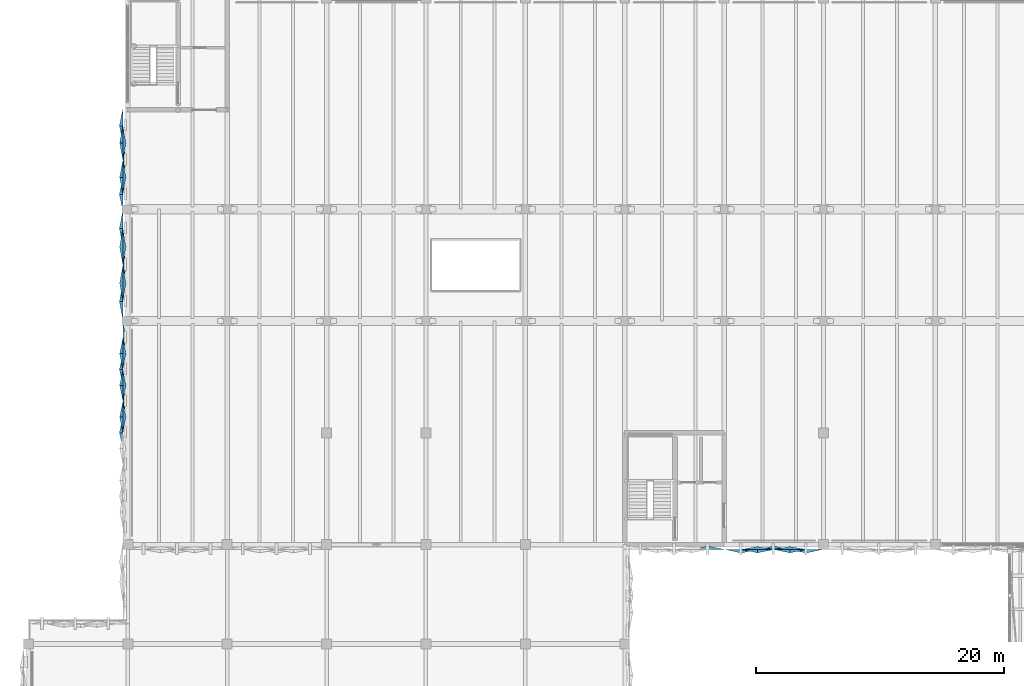
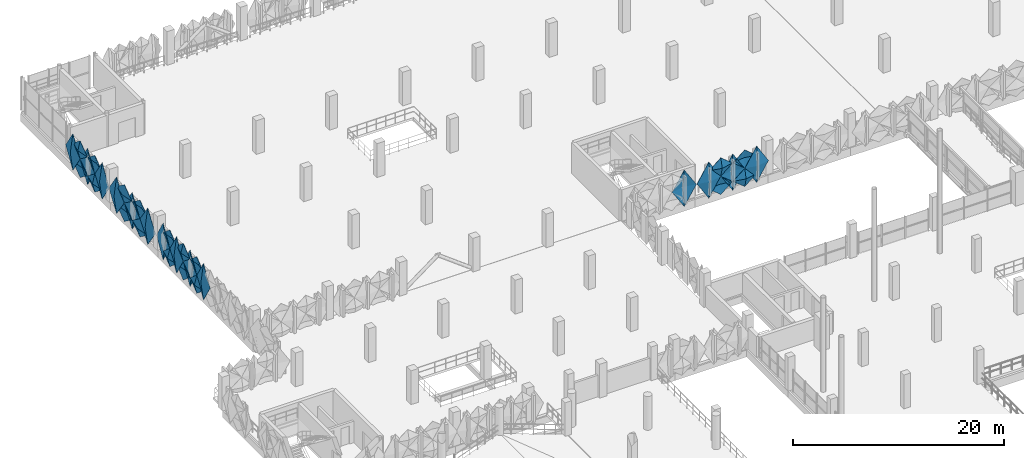
# One storey, part 91 of 123: 32 plates.
"""IFC4 building model written with IfcOpenShell, lengths in metres."""

from ifc_helpers import new_model, si_unit, derived_unit, direction, frame, origin, place, context, subcontext, project, spatial, polygons, material, layer, layer_set, type_object, element, save


model = new_model("IFC4")

# Units and contexts
model_context = context("Model", 3, precision=1e-05, world=origin(), true_north=direction((0.0, 1.0)))
body_context = subcontext(model_context, "Body", "Model", "MODEL_VIEW")
ifc_project = project(units=[si_unit("LENGTHUNIT", "METRE"), si_unit("AREAUNIT", "SQUARE_METRE"), si_unit("VOLUMEUNIT", "CUBIC_METRE"), si_unit("PLANEANGLEUNIT", "RADIAN"), si_unit("MASSUNIT", "GRAM", prefix="KILO"), si_unit("THERMODYNAMICTEMPERATUREUNIT", "KELVIN"), derived_unit("THERMALTRANSMITTANCEUNIT", [(si_unit("POWERUNIT", "WATT"), 1), (si_unit("AREAUNIT", "SQUARE_METRE"), -1), (si_unit("THERMODYNAMICTEMPERATUREUNIT", "KELVIN"), -1)])], contexts=[model_context])

# Site, building, storey
site_placement = place(None, origin())
site = spatial("IfcSite", under=ifc_project, at=site_placement, CompositionType="ELEMENT")
building_placement = place(site_placement, origin())
building = spatial("IfcBuilding", under=site, at=building_placement, Name="Haiyu Intermodal Mobility Hub", CompositionType="ELEMENT")
storey_placement = place(building_placement, frame((0.0, 0.0, 5.60009765625)))
storey = spatial("IfcBuildingStorey", under=building, at=storey_placement, Name="L01", CompositionType="ELEMENT", Elevation=5.60009765625)

# Plates
ifc_material = material(Name="Anodised aluminium 6063-T6", Category="aluminium")
ifc_layer_1 = layer(ifc_material, 0.01806640625)
ifc_layer_set_1 = layer_set([ifc_layer_1], Name="Anodised aluminium 6063-T6")
plate_type_1 = type_object("IfcPlateType", Name="PLT-FC01", PredefinedType="USERDEFINED", material=ifc_layer_set_1)
plate_1_placement = place(storey_placement, origin())
element("IfcPlate", 1, at=plate_1_placement, inside=storey, type_object=plate_type_1, Name="PLT-PYR-0530", ObjectType="FACADE CASSETTE", PredefinedType="USERDEFINED", context=body_context, shape_type="Tessellation", body=[
    polygons([(21.60009765625, 113.0, -0.510009765625), (21.60009765625, 111.74609375, 1.599853515625), (21.60009765625, 113.0, 3.7099609375), (21.60009765625, 114.25390625, 1.599853515625), (21.320068359375, 113.0, 1.599853515625), (21.6220703125, 113.0, -0.510009765625), (21.6220703125, 111.74609375, 1.599853515625), (21.6220703125, 113.0, 3.7099609375), (21.6220703125, 114.25390625, 1.599853515625), (21.342041015625, 113.0, 1.599853515625)], [[[1, 2, 5]], [[2, 3, 5]], [[3, 4, 5]], [[4, 1, 5]], [[7, 6, 10]], [[8, 7, 10]], [[9, 8, 10]], [[6, 9, 10]], [[1, 6, 7, 2]], [[2, 7, 8, 3]], [[3, 8, 9, 4]], [[4, 9, 6, 1]]], closed=True),
])
ifc_layer_2 = layer(ifc_material, 0.01806640625)
ifc_layer_set_2 = layer_set([ifc_layer_2], Name="Anodised aluminium 6063-T6")
plate_type_2 = type_object("IfcPlateType", Name="PLT-FC03", PredefinedType="USERDEFINED", material=ifc_layer_set_2)
plate_2_placement = place(storey_placement, origin())
element("IfcPlate", 2, at=plate_2_placement, inside=storey, type_object=plate_type_2, Name="PLT-PYR-0522", ObjectType="FACADE CASSETTE", PredefinedType="USERDEFINED", context=body_context, shape_type="Tessellation", body=[
    polygons([(21.60009765625, 119.37109375, -0.52001953125), (21.60009765625, 118.116943359375, 0.52978515625), (21.60009765625, 119.37109375, 1.579833984375), (21.60009765625, 120.6259765625, 0.52978515625), (21.340087890625, 119.37109375, 0.52978515625), (21.6220703125, 119.37109375, -0.52001953125), (21.6220703125, 118.116943359375, 0.52978515625), (21.6220703125, 119.37109375, 1.579833984375), (21.6220703125, 120.6259765625, 0.52978515625), (21.362060546875, 119.37109375, 0.52978515625)], [[[1, 2, 5]], [[2, 3, 5]], [[3, 4, 5]], [[4, 1, 5]], [[7, 6, 10]], [[8, 7, 10]], [[9, 8, 10]], [[6, 9, 10]], [[1, 6, 7, 2]], [[2, 7, 8, 3]], [[3, 8, 9, 4]], [[4, 9, 6, 1]]], closed=True),
])
plate_3_placement = place(storey_placement, origin())
element("IfcPlate", 3, at=plate_3_placement, inside=storey, type_object=plate_type_2, Name="PLT-PYR-0528", ObjectType="FACADE CASSETTE", PredefinedType="USERDEFINED", context=body_context, shape_type="Tessellation", body=[
    polygons([(21.60009765625, 114.27392578125, -0.52001953125), (21.60009765625, 113.02001953125, 0.52978515625), (21.60009765625, 114.27392578125, 1.579833984375), (21.60009765625, 115.529052734375, 0.52978515625), (21.340087890625, 114.27392578125, 0.52978515625), (21.6220703125, 114.27392578125, -0.52001953125), (21.6220703125, 113.02001953125, 0.52978515625), (21.6220703125, 114.27392578125, 1.579833984375), (21.6220703125, 115.529052734375, 0.52978515625), (21.362060546875, 114.27392578125, 0.52978515625)], [[[1, 2, 5]], [[2, 3, 5]], [[3, 4, 5]], [[4, 1, 5]], [[7, 6, 10]], [[8, 7, 10]], [[9, 8, 10]], [[6, 9, 10]], [[1, 6, 7, 2]], [[2, 7, 8, 3]], [[3, 8, 9, 4]], [[4, 9, 6, 1]]], closed=True),
])
plate_4_placement = place(storey_placement, origin())
element("IfcPlate", 4, at=plate_4_placement, inside=storey, type_object=plate_type_2, Name="PLT-PYR-0616", ObjectType="FACADE CASSETTE", PredefinedType="USERDEFINED", context=body_context, shape_type="Tessellation", body=[
    polygons([(21.60009765625, 129.447021484375, -0.510009765625), (21.60009765625, 127.992919921875, 1.599853515625), (21.60009765625, 129.447021484375, 3.7099609375), (21.60009765625, 130.89990234375, 1.599853515625), (21.320068359375, 129.447021484375, 1.599853515625), (21.6220703125, 129.447021484375, -0.510009765625), (21.6220703125, 127.992919921875, 1.599853515625), (21.6220703125, 129.447021484375, 3.7099609375), (21.6220703125, 130.89990234375, 1.599853515625), (21.342041015625, 129.447021484375, 1.599853515625)], [[[1, 2, 5]], [[2, 3, 5]], [[3, 4, 5]], [[4, 1, 5]], [[7, 6, 10]], [[8, 7, 10]], [[9, 8, 10]], [[6, 9, 10]], [[1, 6, 7, 2]], [[2, 7, 8, 3]], [[3, 8, 9, 4]], [[4, 9, 6, 1]]], closed=True),
])
plate_5_placement = place(storey_placement, origin())
element("IfcPlate", 5, at=plate_5_placement, inside=storey, type_object=plate_type_2, Name="PLT-PYR-0620", ObjectType="FACADE CASSETTE", PredefinedType="USERDEFINED", context=body_context, shape_type="Tessellation", body=[
    polygons([(21.60009765625, 125.027099609375, -0.52001953125), (21.60009765625, 123.572998046875, 0.52978515625), (21.60009765625, 125.027099609375, 1.579833984375), (21.60009765625, 126.47998046875, 0.52978515625), (21.340087890625, 125.027099609375, 0.52978515625), (21.6220703125, 125.027099609375, -0.52001953125), (21.6220703125, 123.572998046875, 0.52978515625), (21.6220703125, 125.027099609375, 1.579833984375), (21.6220703125, 126.47998046875, 0.52978515625), (21.362060546875, 125.027099609375, 0.52978515625)], [[[1, 2, 5]], [[2, 3, 5]], [[3, 4, 5]], [[4, 1, 5]], [[7, 6, 10]], [[8, 7, 10]], [[9, 8, 10]], [[6, 9, 10]], [[1, 6, 7, 2]], [[2, 7, 8, 3]], [[3, 8, 9, 4]], [[4, 9, 6, 1]]], closed=True),
])
plate_6_placement = place(storey_placement, origin())
element("IfcPlate", 6, at=plate_6_placement, inside=storey, type_object=plate_type_2, Name="PLT-PYR-0747", ObjectType="FACADE CASSETTE", PredefinedType="USERDEFINED", context=body_context, shape_type="Tessellation", body=[
    polygons([(71.386962890625, 103.60009765625, -0.510009765625), (72.673095703125, 103.60009765625, 1.599853515625), (71.386962890625, 103.60009765625, 3.7099609375), (70.10009765625, 103.60009765625, 1.599853515625), (71.386962890625, 103.320068359375, 1.599853515625), (71.386962890625, 103.6220703125, -0.510009765625), (72.673095703125, 103.6220703125, 1.599853515625), (71.386962890625, 103.6220703125, 3.7099609375), (70.10009765625, 103.6220703125, 1.599853515625), (71.386962890625, 103.342041015625, 1.599853515625)], [[[1, 2, 5]], [[2, 3, 5]], [[3, 4, 5]], [[4, 1, 5]], [[7, 6, 10]], [[8, 7, 10]], [[9, 8, 10]], [[6, 9, 10]], [[1, 6, 7, 2]], [[2, 7, 8, 3]], [[3, 8, 9, 4]], [[4, 9, 6, 1]]], closed=True),
])
plate_7_placement = place(storey_placement, origin())
element("IfcPlate", 7, at=plate_7_placement, inside=storey, type_object=plate_type_2, Name="PLT-PYR-0751", ObjectType="FACADE CASSETTE", PredefinedType="USERDEFINED", context=body_context, shape_type="Tessellation", body=[
    polygons([(75.306884765625, 103.60009765625, -0.52001953125), (76.593017578125, 103.60009765625, 0.52978515625), (75.306884765625, 103.60009765625, 1.579833984375), (74.02001953125, 103.60009765625, 0.52978515625), (75.306884765625, 103.340087890625, 0.52978515625), (75.306884765625, 103.6220703125, -0.52001953125), (76.593017578125, 103.6220703125, 0.52978515625), (75.306884765625, 103.6220703125, 1.579833984375), (74.02001953125, 103.6220703125, 0.52978515625), (75.306884765625, 103.362060546875, 0.52978515625)], [[[1, 2, 5]], [[2, 3, 5]], [[3, 4, 5]], [[4, 1, 5]], [[7, 6, 10]], [[8, 7, 10]], [[9, 8, 10]], [[6, 9, 10]], [[1, 6, 7, 2]], [[2, 7, 8, 3]], [[3, 8, 9, 4]], [[4, 9, 6, 1]]], closed=True),
])
plate_8_placement = place(storey_placement, origin())
element("IfcPlate", 8, at=plate_8_placement, inside=storey, type_object=plate_type_2, Name="PLT-PYR-2288", ObjectType="FACADE CASSETTE", PredefinedType="USERDEFINED", context=body_context, shape_type="Tessellation", body=[
    polygons([(21.60009765625, 137.717041015625, -0.510009765625), (21.60009765625, 136.35302734375, 1.599853515625), (21.60009765625, 137.717041015625, 3.7099609375), (21.60009765625, 139.080078125, 1.599853515625), (21.320068359375, 137.717041015625, 1.599853515625), (21.6220703125, 137.717041015625, -0.510009765625), (21.6220703125, 136.35302734375, 1.599853515625), (21.6220703125, 137.717041015625, 3.7099609375), (21.6220703125, 139.080078125, 1.599853515625), (21.342041015625, 137.717041015625, 1.599853515625)], [[[1, 2, 5]], [[2, 3, 5]], [[3, 4, 5]], [[4, 1, 5]], [[7, 6, 10]], [[8, 7, 10]], [[9, 8, 10]], [[6, 9, 10]], [[1, 6, 7, 2]], [[2, 7, 8, 3]], [[3, 8, 9, 4]], [[4, 9, 6, 1]]], closed=True),
])
plate_9_placement = place(storey_placement, origin())
element("IfcPlate", 9, at=plate_9_placement, inside=storey, type_object=plate_type_2, Name="PLT-PYR-2292", ObjectType="FACADE CASSETTE", PredefinedType="USERDEFINED", context=body_context, shape_type="Tessellation", body=[
    polygons([(21.60009765625, 133.56689453125, -0.52001953125), (21.60009765625, 132.202880859375, 0.52978515625), (21.60009765625, 133.56689453125, 1.579833984375), (21.60009765625, 134.929931640625, 0.52978515625), (21.340087890625, 133.56689453125, 0.52978515625), (21.6220703125, 133.56689453125, -0.52001953125), (21.6220703125, 132.202880859375, 0.52978515625), (21.6220703125, 133.56689453125, 1.579833984375), (21.6220703125, 134.929931640625, 0.52978515625), (21.362060546875, 133.56689453125, 0.52978515625)], [[[1, 2, 5]], [[2, 3, 5]], [[3, 4, 5]], [[4, 1, 5]], [[7, 6, 10]], [[8, 7, 10]], [[9, 8, 10]], [[6, 9, 10]], [[1, 6, 7, 2]], [[2, 7, 8, 3]], [[3, 8, 9, 4]], [[4, 9, 6, 1]]], closed=True),
])
ifc_layer_3 = layer(ifc_material, 0.02001953125)
ifc_layer_set_3 = layer_set([ifc_layer_3], Name="Anodised aluminium 6063-T6")
plate_type_3 = type_object("IfcPlateType", Name="PLT-FC04", PredefinedType="USERDEFINED", material=ifc_layer_set_3)
plate_10_placement = place(storey_placement, origin())
element("IfcPlate", 10, at=plate_10_placement, inside=storey, type_object=plate_type_3, Name="PLT-PYR-0521", ObjectType="FACADE CASSETTE", PredefinedType="USERDEFINED", context=body_context, shape_type="Tessellation", body=[
    polygons([(21.60009765625, 120.64599609375, -0.510009765625), (21.60009765625, 119.39111328125, 1.599853515625), (21.60009765625, 120.64599609375, 3.7099609375), (21.60009765625, 121.89990234375, 1.599853515625), (21.860107421875, 120.64599609375, 1.599853515625), (21.6220703125, 120.64599609375, -0.510009765625), (21.6220703125, 119.39111328125, 1.599853515625), (21.6220703125, 120.64599609375, 3.7099609375), (21.6220703125, 121.89990234375, 1.599853515625), (21.882080078125, 120.64599609375, 1.599853515625)], [[[1, 2, 5]], [[2, 3, 5]], [[3, 4, 5]], [[4, 1, 5]], [[7, 6, 10]], [[8, 7, 10]], [[9, 8, 10]], [[6, 9, 10]], [[1, 6, 7, 2]], [[2, 7, 8, 3]], [[3, 8, 9, 4]], [[4, 9, 6, 1]]], closed=True),
])
plate_11_placement = place(storey_placement, origin())
element("IfcPlate", 11, at=plate_11_placement, inside=storey, type_object=plate_type_3, Name="PLT-PYR-0525", ObjectType="FACADE CASSETTE", PredefinedType="USERDEFINED", context=body_context, shape_type="Tessellation", body=[
    polygons([(21.60009765625, 116.822998046875, -0.52001953125), (21.60009765625, 115.569091796875, 0.52978515625), (21.60009765625, 116.822998046875, 1.579833984375), (21.60009765625, 118.076904296875, 0.52978515625), (21.820068359375, 116.822998046875, 0.52978515625), (21.6220703125, 116.822998046875, -0.52001953125), (21.6220703125, 115.569091796875, 0.52978515625), (21.6220703125, 116.822998046875, 1.579833984375), (21.6220703125, 118.076904296875, 0.52978515625), (21.842041015625, 116.822998046875, 0.52978515625)], [[[1, 2, 5]], [[2, 3, 5]], [[3, 4, 5]], [[4, 1, 5]], [[7, 6, 10]], [[8, 7, 10]], [[9, 8, 10]], [[6, 9, 10]], [[1, 6, 7, 2]], [[2, 7, 8, 3]], [[3, 8, 9, 4]], [[4, 9, 6, 1]]], closed=True),
])
plate_12_placement = place(storey_placement, origin())
element("IfcPlate", 12, at=plate_12_placement, inside=storey, type_object=plate_type_3, Name="PLT-PYR-0617", ObjectType="FACADE CASSETTE", PredefinedType="USERDEFINED", context=body_context, shape_type="Tessellation", body=[
    polygons([(21.60009765625, 127.972900390625, -0.52001953125), (21.60009765625, 126.52001953125, 0.52978515625), (21.60009765625, 127.972900390625, 1.579833984375), (21.60009765625, 129.427001953125, 0.52978515625), (21.820068359375, 127.972900390625, 0.52978515625), (21.6220703125, 127.972900390625, -0.52001953125), (21.6220703125, 126.52001953125, 0.52978515625), (21.6220703125, 127.972900390625, 1.579833984375), (21.6220703125, 129.427001953125, 0.52978515625), (21.842041015625, 127.972900390625, 0.52978515625)], [[[1, 2, 5]], [[2, 3, 5]], [[3, 4, 5]], [[4, 1, 5]], [[7, 6, 10]], [[8, 7, 10]], [[9, 8, 10]], [[6, 9, 10]], [[1, 6, 7, 2]], [[2, 7, 8, 3]], [[3, 8, 9, 4]], [[4, 9, 6, 1]]], closed=True),
])
plate_13_placement = place(storey_placement, origin())
element("IfcPlate", 13, at=plate_13_placement, inside=storey, type_object=plate_type_3, Name="PLT-PYR-0748", ObjectType="FACADE CASSETTE", PredefinedType="USERDEFINED", context=body_context, shape_type="Tessellation", body=[
    polygons([(72.693115234375, 103.60009765625, -0.52001953125), (73.97998046875, 103.60009765625, 0.52978515625), (72.693115234375, 103.60009765625, 1.579833984375), (71.406982421875, 103.60009765625, 0.52978515625), (72.693115234375, 103.820068359375, 0.52978515625), (72.693115234375, 103.6220703125, -0.52001953125), (73.97998046875, 103.6220703125, 0.52978515625), (72.693115234375, 103.6220703125, 1.579833984375), (71.406982421875, 103.6220703125, 0.52978515625), (72.693115234375, 103.842041015625, 0.52978515625)], [[[1, 2, 5]], [[2, 3, 5]], [[3, 4, 5]], [[4, 1, 5]], [[7, 6, 10]], [[8, 7, 10]], [[9, 8, 10]], [[6, 9, 10]], [[1, 6, 7, 2]], [[2, 7, 8, 3]], [[3, 8, 9, 4]], [[4, 9, 6, 1]]], closed=True),
])
plate_14_placement = place(storey_placement, origin())
element("IfcPlate", 14, at=plate_14_placement, inside=storey, type_object=plate_type_3, Name="PLT-PYR-2289", ObjectType="FACADE CASSETTE", PredefinedType="USERDEFINED", context=body_context, shape_type="Tessellation", body=[
    polygons([(21.60009765625, 136.3330078125, -0.52001953125), (21.60009765625, 134.969970703125, 0.52978515625), (21.60009765625, 136.3330078125, 1.579833984375), (21.60009765625, 137.697021484375, 0.52978515625), (21.820068359375, 136.3330078125, 0.52978515625), (21.6220703125, 136.3330078125, -0.52001953125), (21.6220703125, 134.969970703125, 0.52978515625), (21.6220703125, 136.3330078125, 1.579833984375), (21.6220703125, 137.697021484375, 0.52978515625), (21.842041015625, 136.3330078125, 0.52978515625)], [[[1, 2, 5]], [[2, 3, 5]], [[3, 4, 5]], [[4, 1, 5]], [[7, 6, 10]], [[8, 7, 10]], [[9, 8, 10]], [[6, 9, 10]], [[1, 6, 7, 2]], [[2, 7, 8, 3]], [[3, 8, 9, 4]], [[4, 9, 6, 1]]], closed=True),
])
ifc_layer_4 = layer(ifc_material, 0.01806640625)
ifc_layer_set_4 = layer_set([ifc_layer_4], Name="Anodised aluminium 6063-T6")
plate_type_4 = type_object("IfcPlateType", Name="PLT-FC05", PredefinedType="USERDEFINED", material=ifc_layer_set_4)
plate_15_placement = place(storey_placement, origin())
element("IfcPlate", 15, at=plate_15_placement, inside=storey, type_object=plate_type_4, Name="PLT-PYR-0524", ObjectType="FACADE CASSETTE", PredefinedType="USERDEFINED", context=body_context, shape_type="Tessellation", body=[
    polygons([(21.60009765625, 118.096923828125, -0.510009765625), (21.60009765625, 116.843017578125, 1.599853515625), (21.60009765625, 118.096923828125, 3.7099609375), (21.60009765625, 119.35107421875, 1.599853515625), (21.320068359375, 118.096923828125, 1.599853515625), (21.6220703125, 118.096923828125, -0.510009765625), (21.6220703125, 116.843017578125, 1.599853515625), (21.6220703125, 118.096923828125, 3.7099609375), (21.6220703125, 119.35107421875, 1.599853515625), (21.342041015625, 118.096923828125, 1.599853515625)], [[[1, 2, 5]], [[2, 3, 5]], [[3, 4, 5]], [[4, 1, 5]], [[7, 6, 10]], [[8, 7, 10]], [[9, 8, 10]], [[6, 9, 10]], [[1, 6, 7, 2]], [[2, 7, 8, 3]], [[3, 8, 9, 4]], [[4, 9, 6, 1]]], closed=True),
])
plate_16_placement = place(storey_placement, origin())
element("IfcPlate", 16, at=plate_16_placement, inside=storey, type_object=plate_type_4, Name="PLT-PYR-0526", ObjectType="FACADE CASSETTE", PredefinedType="USERDEFINED", context=body_context, shape_type="Tessellation", body=[
    polygons([(21.60009765625, 116.822998046875, 1.619873046875), (21.60009765625, 115.569091796875, 2.669921875), (21.60009765625, 116.822998046875, 3.719970703125), (21.60009765625, 118.076904296875, 2.669921875), (21.340087890625, 116.822998046875, 2.669921875), (21.6220703125, 116.822998046875, 1.619873046875), (21.6220703125, 115.569091796875, 2.669921875), (21.6220703125, 116.822998046875, 3.719970703125), (21.6220703125, 118.076904296875, 2.669921875), (21.362060546875, 116.822998046875, 2.669921875)], [[[1, 2, 5]], [[2, 3, 5]], [[3, 4, 5]], [[4, 1, 5]], [[7, 6, 10]], [[8, 7, 10]], [[9, 8, 10]], [[6, 9, 10]], [[1, 6, 7, 2]], [[2, 7, 8, 3]], [[3, 8, 9, 4]], [[4, 9, 6, 1]]], closed=True),
])
plate_17_placement = place(storey_placement, origin())
element("IfcPlate", 17, at=plate_17_placement, inside=storey, type_object=plate_type_4, Name="PLT-PYR-0618", ObjectType="FACADE CASSETTE", PredefinedType="USERDEFINED", context=body_context, shape_type="Tessellation", body=[
    polygons([(21.60009765625, 127.972900390625, 1.619873046875), (21.60009765625, 126.52001953125, 2.669921875), (21.60009765625, 127.972900390625, 3.719970703125), (21.60009765625, 129.427001953125, 2.669921875), (21.340087890625, 127.972900390625, 2.669921875), (21.6220703125, 127.972900390625, 1.619873046875), (21.6220703125, 126.52001953125, 2.669921875), (21.6220703125, 127.972900390625, 3.719970703125), (21.6220703125, 129.427001953125, 2.669921875), (21.362060546875, 127.972900390625, 2.669921875)], [[[1, 2, 5]], [[2, 3, 5]], [[3, 4, 5]], [[4, 1, 5]], [[7, 6, 10]], [[8, 7, 10]], [[9, 8, 10]], [[6, 9, 10]], [[1, 6, 7, 2]], [[2, 7, 8, 3]], [[3, 8, 9, 4]], [[4, 9, 6, 1]]], closed=True),
])
plate_18_placement = place(storey_placement, origin())
element("IfcPlate", 18, at=plate_18_placement, inside=storey, type_object=plate_type_4, Name="PLT-PYR-0749", ObjectType="FACADE CASSETTE", PredefinedType="USERDEFINED", context=body_context, shape_type="Tessellation", body=[
    polygons([(72.693115234375, 103.60009765625, 1.619873046875), (73.97998046875, 103.60009765625, 2.669921875), (72.693115234375, 103.60009765625, 3.719970703125), (71.406982421875, 103.60009765625, 2.669921875), (72.693115234375, 103.340087890625, 2.669921875), (72.693115234375, 103.6220703125, 1.619873046875), (73.97998046875, 103.6220703125, 2.669921875), (72.693115234375, 103.6220703125, 3.719970703125), (71.406982421875, 103.6220703125, 2.669921875), (72.693115234375, 103.362060546875, 2.669921875)], [[[1, 2, 5]], [[2, 3, 5]], [[3, 4, 5]], [[4, 1, 5]], [[7, 6, 10]], [[8, 7, 10]], [[9, 8, 10]], [[6, 9, 10]], [[1, 6, 7, 2]], [[2, 7, 8, 3]], [[3, 8, 9, 4]], [[4, 9, 6, 1]]], closed=True),
])
plate_19_placement = place(storey_placement, origin())
element("IfcPlate", 19, at=plate_19_placement, inside=storey, type_object=plate_type_4, Name="PLT-PYR-2290", ObjectType="FACADE CASSETTE", PredefinedType="USERDEFINED", context=body_context, shape_type="Tessellation", body=[
    polygons([(21.60009765625, 136.3330078125, 1.619873046875), (21.60009765625, 134.969970703125, 2.669921875), (21.60009765625, 136.3330078125, 3.719970703125), (21.60009765625, 137.697021484375, 2.669921875), (21.340087890625, 136.3330078125, 2.669921875), (21.6220703125, 136.3330078125, 1.619873046875), (21.6220703125, 134.969970703125, 2.669921875), (21.6220703125, 136.3330078125, 3.719970703125), (21.6220703125, 137.697021484375, 2.669921875), (21.362060546875, 136.3330078125, 2.669921875)], [[[1, 2, 5]], [[2, 3, 5]], [[3, 4, 5]], [[4, 1, 5]], [[7, 6, 10]], [[8, 7, 10]], [[9, 8, 10]], [[6, 9, 10]], [[1, 6, 7, 2]], [[2, 7, 8, 3]], [[3, 8, 9, 4]], [[4, 9, 6, 1]]], closed=True),
])
ifc_layer_5 = layer(ifc_material, 0.02001953125)
ifc_layer_set_5 = layer_set([ifc_layer_5], Name="Anodised aluminium 6063-T6")
plate_type_5 = type_object("IfcPlateType", Name="PLT-FC06", PredefinedType="USERDEFINED", material=ifc_layer_set_5)
plate_20_placement = place(storey_placement, origin())
element("IfcPlate", 20, at=plate_20_placement, inside=storey, type_object=plate_type_5, Name="PLT-PYR-0523", ObjectType="FACADE CASSETTE", PredefinedType="USERDEFINED", context=body_context, shape_type="Tessellation", body=[
    polygons([(21.60009765625, 119.37109375, 1.619873046875), (21.60009765625, 118.116943359375, 2.669921875), (21.60009765625, 119.37109375, 3.719970703125), (21.60009765625, 120.6259765625, 2.669921875), (21.820068359375, 119.37109375, 2.669921875), (21.6220703125, 119.37109375, 1.619873046875), (21.6220703125, 118.116943359375, 2.669921875), (21.6220703125, 119.37109375, 3.719970703125), (21.6220703125, 120.6259765625, 2.669921875), (21.842041015625, 119.37109375, 2.669921875)], [[[1, 2, 5]], [[2, 3, 5]], [[3, 4, 5]], [[4, 1, 5]], [[7, 6, 10]], [[8, 7, 10]], [[9, 8, 10]], [[6, 9, 10]], [[1, 6, 7, 2]], [[2, 7, 8, 3]], [[3, 8, 9, 4]], [[4, 9, 6, 1]]], closed=True),
])
plate_21_placement = place(storey_placement, origin())
element("IfcPlate", 21, at=plate_21_placement, inside=storey, type_object=plate_type_5, Name="PLT-PYR-0529", ObjectType="FACADE CASSETTE", PredefinedType="USERDEFINED", context=body_context, shape_type="Tessellation", body=[
    polygons([(21.60009765625, 114.27392578125, 1.619873046875), (21.60009765625, 113.02001953125, 2.669921875), (21.60009765625, 114.27392578125, 3.719970703125), (21.60009765625, 115.529052734375, 2.669921875), (21.820068359375, 114.27392578125, 2.669921875), (21.6220703125, 114.27392578125, 1.619873046875), (21.6220703125, 113.02001953125, 2.669921875), (21.6220703125, 114.27392578125, 3.719970703125), (21.6220703125, 115.529052734375, 2.669921875), (21.842041015625, 114.27392578125, 2.669921875)], [[[1, 2, 5]], [[2, 3, 5]], [[3, 4, 5]], [[4, 1, 5]], [[7, 6, 10]], [[8, 7, 10]], [[9, 8, 10]], [[6, 9, 10]], [[1, 6, 7, 2]], [[2, 7, 8, 3]], [[3, 8, 9, 4]], [[4, 9, 6, 1]]], closed=True),
])
plate_22_placement = place(storey_placement, origin())
element("IfcPlate", 22, at=plate_22_placement, inside=storey, type_object=plate_type_5, Name="PLT-PYR-0619", ObjectType="FACADE CASSETTE", PredefinedType="USERDEFINED", context=body_context, shape_type="Tessellation", body=[
    polygons([(21.60009765625, 126.5, -0.510009765625), (21.60009765625, 125.047119140625, 1.599853515625), (21.60009765625, 126.5, 3.7099609375), (21.60009765625, 127.952880859375, 1.599853515625), (21.860107421875, 126.5, 1.599853515625), (21.6220703125, 126.5, -0.510009765625), (21.6220703125, 125.047119140625, 1.599853515625), (21.6220703125, 126.5, 3.7099609375), (21.6220703125, 127.952880859375, 1.599853515625), (21.882080078125, 126.5, 1.599853515625)], [[[1, 2, 5]], [[2, 3, 5]], [[3, 4, 5]], [[4, 1, 5]], [[7, 6, 10]], [[8, 7, 10]], [[9, 8, 10]], [[6, 9, 10]], [[1, 6, 7, 2]], [[2, 7, 8, 3]], [[3, 8, 9, 4]], [[4, 9, 6, 1]]], closed=True),
])
plate_23_placement = place(storey_placement, origin())
element("IfcPlate", 23, at=plate_23_placement, inside=storey, type_object=plate_type_5, Name="PLT-PYR-0621", ObjectType="FACADE CASSETTE", PredefinedType="USERDEFINED", context=body_context, shape_type="Tessellation", body=[
    polygons([(21.60009765625, 125.027099609375, 1.619873046875), (21.60009765625, 123.572998046875, 2.669921875), (21.60009765625, 125.027099609375, 3.719970703125), (21.60009765625, 126.47998046875, 2.669921875), (21.820068359375, 125.027099609375, 2.669921875), (21.6220703125, 125.027099609375, 1.619873046875), (21.6220703125, 123.572998046875, 2.669921875), (21.6220703125, 125.027099609375, 3.719970703125), (21.6220703125, 126.47998046875, 2.669921875), (21.842041015625, 125.027099609375, 2.669921875)], [[[1, 2, 5]], [[2, 3, 5]], [[3, 4, 5]], [[4, 1, 5]], [[7, 6, 10]], [[8, 7, 10]], [[9, 8, 10]], [[6, 9, 10]], [[1, 6, 7, 2]], [[2, 7, 8, 3]], [[3, 8, 9, 4]], [[4, 9, 6, 1]]], closed=True),
])
plate_24_placement = place(storey_placement, origin())
element("IfcPlate", 24, at=plate_24_placement, inside=storey, type_object=plate_type_5, Name="PLT-PYR-0750", ObjectType="FACADE CASSETTE", PredefinedType="USERDEFINED", context=body_context, shape_type="Tessellation", body=[
    polygons([(74.0, 103.60009765625, -0.510009765625), (75.287109375, 103.60009765625, 1.599853515625), (74.0, 103.60009765625, 3.7099609375), (72.712890625, 103.60009765625, 1.599853515625), (74.0, 103.860107421875, 1.599853515625), (74.0, 103.6220703125, -0.510009765625), (75.287109375, 103.6220703125, 1.599853515625), (74.0, 103.6220703125, 3.7099609375), (72.712890625, 103.6220703125, 1.599853515625), (74.0, 103.882080078125, 1.599853515625)], [[[1, 2, 5]], [[2, 3, 5]], [[3, 4, 5]], [[4, 1, 5]], [[7, 6, 10]], [[8, 7, 10]], [[9, 8, 10]], [[6, 9, 10]], [[1, 6, 7, 2]], [[2, 7, 8, 3]], [[3, 8, 9, 4]], [[4, 9, 6, 1]]], closed=True),
])
plate_25_placement = place(storey_placement, origin())
element("IfcPlate", 25, at=plate_25_placement, inside=storey, type_object=plate_type_5, Name="PLT-PYR-0752", ObjectType="FACADE CASSETTE", PredefinedType="USERDEFINED", context=body_context, shape_type="Tessellation", body=[
    polygons([(75.306884765625, 103.60009765625, 1.619873046875), (76.593017578125, 103.60009765625, 2.669921875), (75.306884765625, 103.60009765625, 3.719970703125), (74.02001953125, 103.60009765625, 2.669921875), (75.306884765625, 103.820068359375, 2.669921875), (75.306884765625, 103.6220703125, 1.619873046875), (76.593017578125, 103.6220703125, 2.669921875), (75.306884765625, 103.6220703125, 3.719970703125), (74.02001953125, 103.6220703125, 2.669921875), (75.306884765625, 103.842041015625, 2.669921875)], [[[1, 2, 5]], [[2, 3, 5]], [[3, 4, 5]], [[4, 1, 5]], [[7, 6, 10]], [[8, 7, 10]], [[9, 8, 10]], [[6, 9, 10]], [[1, 6, 7, 2]], [[2, 7, 8, 3]], [[3, 8, 9, 4]], [[4, 9, 6, 1]]], closed=True),
])
plate_26_placement = place(storey_placement, origin())
element("IfcPlate", 26, at=plate_26_placement, inside=storey, type_object=plate_type_5, Name="PLT-PYR-2291", ObjectType="FACADE CASSETTE", PredefinedType="USERDEFINED", context=body_context, shape_type="Tessellation", body=[
    polygons([(21.60009765625, 134.949951171875, -0.510009765625), (21.60009765625, 133.5869140625, 1.599853515625), (21.60009765625, 134.949951171875, 3.7099609375), (21.60009765625, 136.31298828125, 1.599853515625), (21.860107421875, 134.949951171875, 1.599853515625), (21.6220703125, 134.949951171875, -0.510009765625), (21.6220703125, 133.5869140625, 1.599853515625), (21.6220703125, 134.949951171875, 3.7099609375), (21.6220703125, 136.31298828125, 1.599853515625), (21.882080078125, 134.949951171875, 1.599853515625)], [[[1, 2, 5]], [[2, 3, 5]], [[3, 4, 5]], [[4, 1, 5]], [[7, 6, 10]], [[8, 7, 10]], [[9, 8, 10]], [[6, 9, 10]], [[1, 6, 7, 2]], [[2, 7, 8, 3]], [[3, 8, 9, 4]], [[4, 9, 6, 1]]], closed=True),
])
plate_27_placement = place(storey_placement, origin())
element("IfcPlate", 27, at=plate_27_placement, inside=storey, type_object=plate_type_5, Name="PLT-PYR-2293", ObjectType="FACADE CASSETTE", PredefinedType="USERDEFINED", context=body_context, shape_type="Tessellation", body=[
    polygons([(21.60009765625, 133.56689453125, 1.619873046875), (21.60009765625, 132.202880859375, 2.669921875), (21.60009765625, 133.56689453125, 3.719970703125), (21.60009765625, 134.929931640625, 2.669921875), (21.820068359375, 133.56689453125, 2.669921875), (21.6220703125, 133.56689453125, 1.619873046875), (21.6220703125, 132.202880859375, 2.669921875), (21.6220703125, 133.56689453125, 3.719970703125), (21.6220703125, 134.929931640625, 2.669921875), (21.842041015625, 133.56689453125, 2.669921875)], [[[1, 2, 5]], [[2, 3, 5]], [[3, 4, 5]], [[4, 1, 5]], [[7, 6, 10]], [[8, 7, 10]], [[9, 8, 10]], [[6, 9, 10]], [[1, 6, 7, 2]], [[2, 7, 8, 3]], [[3, 8, 9, 4]], [[4, 9, 6, 1]]], closed=True),
])
ifc_layer_6 = layer(ifc_material, 0.02197265625)
ifc_layer_set_6 = layer_set([ifc_layer_6], Name="Anodised aluminium 6063-T6")
plate_type_6 = type_object("IfcPlateType", Name="PLT-FC07", PredefinedType="USERDEFINED", material=ifc_layer_set_6)
plate_28_placement = place(storey_placement, origin())
element("IfcPlate", 28, at=plate_28_placement, inside=storey, type_object=plate_type_6, Name="PLT-PYR-0622", ObjectType="FACADE CASSETTE", PredefinedType="USERDEFINED", context=body_context, shape_type="Tessellation", body=[
    polygons([(21.60009765625, 123.552978515625, -0.510009765625), (21.60009765625, 122.10009765625, 1.599853515625), (21.60009765625, 123.552978515625, 3.7099609375), (21.60009765625, 125.007080078125, 1.599853515625), (21.320068359375, 123.552978515625, 1.599853515625), (21.6220703125, 123.552978515625, -0.510009765625), (21.6220703125, 122.10009765625, 1.599853515625), (21.6220703125, 123.552978515625, 3.7099609375), (21.6220703125, 125.007080078125, 1.599853515625), (21.342041015625, 123.552978515625, 1.599853515625)], [[[1, 2, 5]], [[2, 3, 5]], [[3, 4, 5]], [[4, 1, 5]], [[7, 6, 10]], [[8, 7, 10]], [[9, 8, 10]], [[6, 9, 10]], [[1, 6, 7, 2]], [[2, 7, 8, 3]], [[3, 8, 9, 4]], [[4, 9, 6, 1]]], closed=True),
])
plate_29_placement = place(storey_placement, origin())
element("IfcPlate", 29, at=plate_29_placement, inside=storey, type_object=plate_type_6, Name="PLT-PYR-0753", ObjectType="FACADE CASSETTE", PredefinedType="USERDEFINED", context=body_context, shape_type="Tessellation", body=[
    polygons([(76.613037109375, 103.60009765625, -0.510009765625), (77.89990234375, 103.60009765625, 1.599853515625), (76.613037109375, 103.60009765625, 3.7099609375), (75.326904296875, 103.60009765625, 1.599853515625), (76.613037109375, 103.320068359375, 1.599853515625), (76.613037109375, 103.6220703125, -0.510009765625), (77.89990234375, 103.6220703125, 1.599853515625), (76.613037109375, 103.6220703125, 3.7099609375), (75.326904296875, 103.6220703125, 1.599853515625), (76.613037109375, 103.342041015625, 1.599853515625)], [[[1, 2, 5]], [[2, 3, 5]], [[3, 4, 5]], [[4, 1, 5]], [[7, 6, 10]], [[8, 7, 10]], [[9, 8, 10]], [[6, 9, 10]], [[1, 6, 7, 2]], [[2, 7, 8, 3]], [[3, 8, 9, 4]], [[4, 9, 6, 1]]], closed=True),
])
plate_30_placement = place(storey_placement, origin())
element("IfcPlate", 30, at=plate_30_placement, inside=storey, type_object=plate_type_6, Name="PLT-PYR-2294", ObjectType="FACADE CASSETTE", PredefinedType="USERDEFINED", context=body_context, shape_type="Tessellation", body=[
    polygons([(21.60009765625, 132.18310546875, -0.510009765625), (21.60009765625, 130.820068359375, 1.599853515625), (21.60009765625, 132.18310546875, 3.7099609375), (21.60009765625, 133.547119140625, 1.599853515625), (21.320068359375, 132.18310546875, 1.599853515625), (21.6220703125, 132.18310546875, -0.510009765625), (21.6220703125, 130.820068359375, 1.599853515625), (21.6220703125, 132.18310546875, 3.7099609375), (21.6220703125, 133.547119140625, 1.599853515625), (21.342041015625, 132.18310546875, 1.599853515625)], [[[1, 2, 5]], [[2, 3, 5]], [[3, 4, 5]], [[4, 1, 5]], [[7, 6, 10]], [[8, 7, 10]], [[9, 8, 10]], [[6, 9, 10]], [[1, 6, 7, 2]], [[2, 7, 8, 3]], [[3, 8, 9, 4]], [[4, 9, 6, 1]]], closed=True),
])
ifc_layer_7 = layer(ifc_material, 0.02392578125)
ifc_layer_set_7 = layer_set([ifc_layer_7], Name="Anodised aluminium 6063-T6")
plate_type_7 = type_object("IfcPlateType", Name="PLT-FC08", PredefinedType="USERDEFINED", material=ifc_layer_set_7)
plate_31_placement = place(storey_placement, origin())
element("IfcPlate", 31, at=plate_31_placement, inside=storey, type_object=plate_type_7, Name="PLT-PYR-0527", ObjectType="FACADE CASSETTE", PredefinedType="USERDEFINED", context=body_context, shape_type="Tessellation", body=[
    polygons([(21.60009765625, 115.549072265625, -0.510009765625), (21.60009765625, 114.2939453125, 1.599853515625), (21.60009765625, 115.549072265625, 3.7099609375), (21.60009765625, 116.802978515625, 1.599853515625), (21.860107421875, 115.549072265625, 1.599853515625), (21.6220703125, 115.549072265625, -0.510009765625), (21.6220703125, 114.2939453125, 1.599853515625), (21.6220703125, 115.549072265625, 3.7099609375), (21.6220703125, 116.802978515625, 1.599853515625), (21.882080078125, 115.549072265625, 1.599853515625)], [[[1, 2, 5]], [[2, 3, 5]], [[3, 4, 5]], [[4, 1, 5]], [[7, 6, 10]], [[8, 7, 10]], [[9, 8, 10]], [[6, 9, 10]], [[1, 6, 7, 2]], [[2, 7, 8, 3]], [[3, 8, 9, 4]], [[4, 9, 6, 1]]], closed=True),
])
plate_32_placement = place(storey_placement, origin())
element("IfcPlate", 32, at=plate_32_placement, inside=storey, type_object=plate_type_7, Name="PLT-PYR-2196", ObjectType="FACADE CASSETTE", PredefinedType="USERDEFINED", context=body_context, shape_type="Tessellation", body=[
    polygons([(68.699951171875, 103.60009765625, -0.510009765625), (70.030029296875, 103.60009765625, 1.599853515625), (68.699951171875, 103.60009765625, 3.7099609375), (67.3701171875, 103.60009765625, 1.599853515625), (68.699951171875, 103.860107421875, 1.599853515625), (68.699951171875, 103.6220703125, -0.510009765625), (70.030029296875, 103.6220703125, 1.599853515625), (68.699951171875, 103.6220703125, 3.7099609375), (67.3701171875, 103.6220703125, 1.599853515625), (68.699951171875, 103.882080078125, 1.599853515625)], [[[1, 2, 5]], [[2, 3, 5]], [[3, 4, 5]], [[4, 1, 5]], [[7, 6, 10]], [[8, 7, 10]], [[9, 8, 10]], [[6, 9, 10]], [[1, 6, 7, 2]], [[2, 7, 8, 3]], [[3, 8, 9, 4]], [[4, 9, 6, 1]]], closed=True),
])

save(model, "model.ifc")
